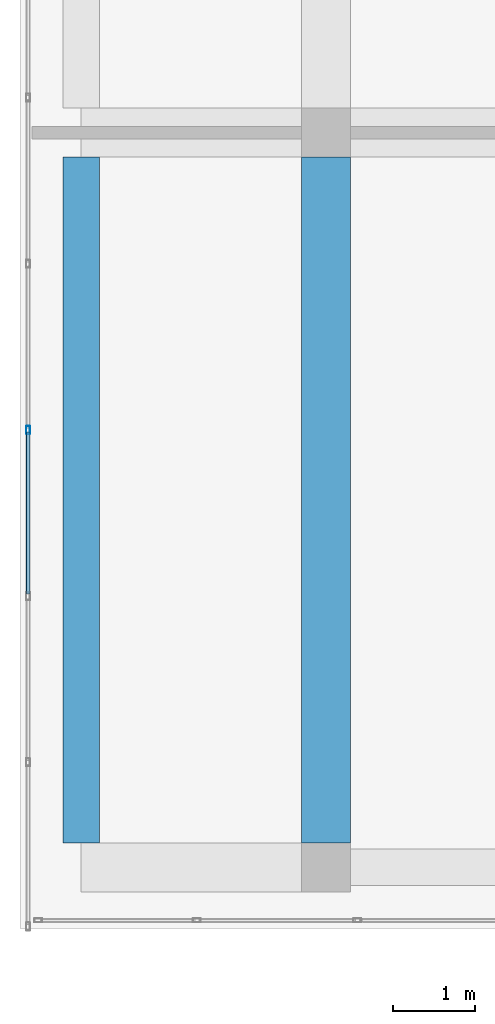
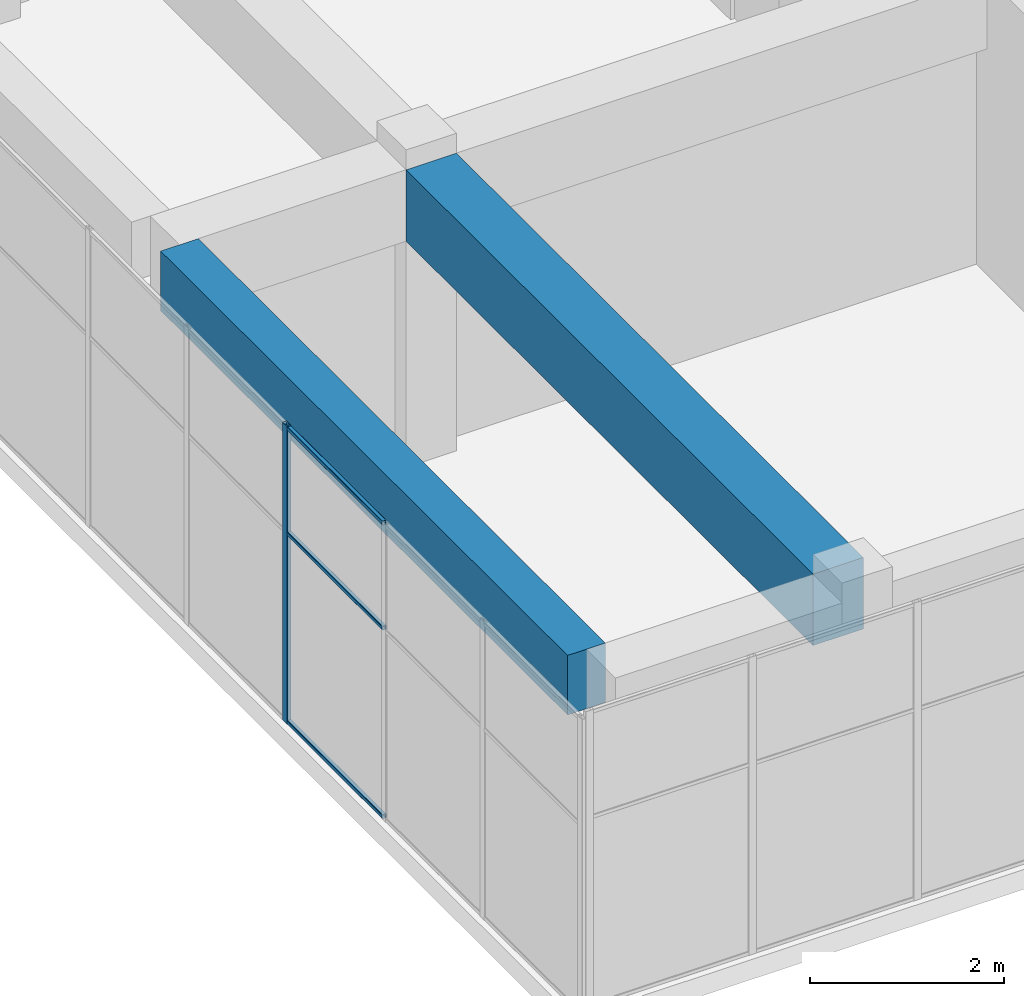
# One storey, part 4 of 35: 4 members, 2 beams, 1 element without a shape of its own.
"""IFC4 building model written with IfcOpenShell, lengths in metres."""

from ifc_helpers import new_model, si_unit, direction, frame, origin, origin_2d, place, context, subcontext, project, spatial, rectangle, hollow_rectangle, extrude, material, layer, layer_set, material_profile, profile_set, type_object, element, aggregate, save


model = new_model("IFC4")

# Units and contexts
model_context = context("Model", 3, precision=1e-05, world=origin(), true_north=direction((0.0, 1.0)))
body_context = subcontext(model_context, "Body", "Model", "MODEL_VIEW")
ifc_project = project(units=[si_unit("LENGTHUNIT", "METRE"), si_unit("AREAUNIT", "SQUARE_METRE"), si_unit("VOLUMEUNIT", "CUBIC_METRE"), si_unit("PLANEANGLEUNIT", "RADIAN"), si_unit("MASSUNIT", "GRAM", prefix="KILO")], contexts=[model_context])

# Site, building, storey
site_placement = place(None, origin())
site = spatial("IfcSite", under=ifc_project, at=site_placement, CompositionType="ELEMENT")
building_placement = place(site_placement, origin())
building = spatial("IfcBuilding", under=site, at=building_placement, Name="Tuart Plaza Theatre", CompositionType="ELEMENT")
storey_placement = place(building_placement, frame((0.0, 0.0, 45.5)))
storey = spatial("IfcBuildingStorey", under=building, at=storey_placement, Name="L11", CompositionType="ELEMENT", Elevation=45.5)

# Beams
ifc_material_1 = material(Name="Concrete N40 (40 MPa)", Category="concrete")
ifc_material_profile_1 = material_profile(ifc_material_1, rectangle(XDim=0.449951171875, YDim=0.75, at=origin_2d()), Name="BEAM 450x750 Concrete N40 (40 MPa)")
ifc_profile_set_1 = profile_set([ifc_material_profile_1], Name="Concrete N40 (40 MPa)")
beam_type_1 = type_object("IfcBeamType", Name="BEAM 450x750 Concrete N40 (40 MPa)", PredefinedType="BEAM", material=ifc_profile_set_1)
beam_1_placement = place(storey_placement, frame((111.0, 65.300048828125, 3.375), z_axis=(0.0, 1.0, 0.0), x_axis=(-1.0, 0.0, 0.0)))
element("IfcBeam", 1, at=beam_1_placement, inside=storey, type_object=beam_type_1, Name="RB282", PredefinedType="BEAM", context=body_context, shape_type="SweptSolid", body=[
    extrude(rectangle(XDim=0.449951171875, YDim=0.75, at=origin_2d()), origin(), (0.0, 0.0, 1.0), 8.39990234375),
])
ifc_material_2 = material(Name="Concrete N40 (40 MPa)", Category="concrete")
ifc_material_profile_2 = material_profile(ifc_material_2, rectangle(XDim=0.60009765625, YDim=0.89990234375, at=origin_2d()), Name="BEAM 600x900 Concrete N40 (40 MPa)")
ifc_profile_set_2 = profile_set([ifc_material_profile_2], Name="Concrete N40 (40 MPa)")
beam_type_2 = type_object("IfcBeamType", Name="BEAM 600x900 Concrete N40 (40 MPa)", PredefinedType="BEAM", material=ifc_profile_set_2)
beam_2_placement = place(storey_placement, frame((114.0, 65.300048828125, 3.300048828125), z_axis=(0.0, 1.0, 0.0), x_axis=(-1.0, 0.0, 0.0)))
element("IfcBeam", 2, at=beam_2_placement, inside=storey, type_object=beam_type_2, Name="RB289", PredefinedType="BEAM", context=body_context, shape_type="SweptSolid", body=[
    extrude(rectangle(XDim=0.60009765625, YDim=0.89990234375, at=origin_2d()), origin(), (0.0, 0.0, 1.0), 8.39990234375),
])

# Curtain wall, members
ifc_material_3 = material(Name="Aluminium and glass", Category="aluminium")
ifc_layer = layer(ifc_material_3, 0.10009765625)
ifc_layer_set = layer_set([ifc_layer], Name="CURTAIN WALL 2000 module")
curtain_wall_type = type_object("IfcCurtainWallType", Name="CURTAIN WALL 2000 module", PredefinedType="NOTDEFINED", material=ifc_layer_set)
curtain_wall_placement = place(storey_placement, origin())
curtain_wall = element("IfcCurtainWall", 3, at=curtain_wall_placement, inside=storey, type_object=curtain_wall_type, Name="CW106", PredefinedType="NOTDEFINED")
ifc_material_4 = material(Name="Aluminium 6063-T5", Category="aluminium")
ifc_material_profile_3 = material_profile(ifc_material_4, hollow_rectangle(XDim=0.050048828125, YDim=0.10009765625, WallThickness=0.00390625, InnerFilletRadius=0.00390625, OuterFilletRadius=0.008056640625, at=origin_2d()), Name="RHS 100x50x4")
ifc_profile_set_3 = profile_set([ifc_material_profile_3], Name="Aluminium 6063-T5")
member_type_1 = type_object("IfcMemberType", Name="MULLION RHS 100x50x4", PredefinedType="MULLION", material=ifc_profile_set_3)
member_1_placement = place(storey_placement, frame((110.35009765625, 70.357177734375, 0.0), z_axis=(0.0, 0.0, 1.0), x_axis=(1.0, 0.0, 0.0)))
member_1 = element("IfcMember", 4, at=member_1_placement, type_object=member_type_1, Name="CW106 mullion 12", PredefinedType="MULLION", context=body_context, shape_type="SweptSolid", body=[
    extrude(hollow_rectangle(XDim=0.050048828125, YDim=0.10009765625, WallThickness=0.00390625, InnerFilletRadius=0.00390625, OuterFilletRadius=0.008056640625, at=origin_2d()), origin(), (0.0, 0.0, 1.0), 3.75),
])
ifc_material_5 = material(Name="Aluminium 6063-T5", Category="aluminium")
ifc_material_profile_4 = material_profile(ifc_material_5, hollow_rectangle(XDim=0.050048828125, YDim=0.050048828125, WallThickness=0.00390625, InnerFilletRadius=0.00390625, OuterFilletRadius=0.008056640625, at=origin_2d()), Name="RHS 50x50x4")
ifc_profile_set_4 = profile_set([ifc_material_profile_4], Name="Aluminium 6063-T5")
member_type_2 = type_object("IfcMemberType", Name="TRANSOM RHS 50x50x4", PredefinedType="USERDEFINED", material=ifc_profile_set_4)
member_2_placement = place(storey_placement, frame((110.35009765625, 70.33203125, 0.02490234375), z_axis=(0.0, -1.0, 0.0), x_axis=(1.0, 0.0, 0.0)))
member_2 = element("IfcMember", 5, at=member_2_placement, type_object=member_type_2, Name="CW106 transom 12.1", ObjectType="TRANSOM", PredefinedType="USERDEFINED", context=body_context, shape_type="SweptSolid", body=[
    extrude(hollow_rectangle(XDim=0.050048828125, YDim=0.050048828125, WallThickness=0.00390625, InnerFilletRadius=0.00390625, OuterFilletRadius=0.008056640625, at=origin_2d()), origin(), (0.0, 0.0, 1.0), 1.985595703125),
])
member_3_placement = place(storey_placement, frame((110.35009765625, 70.33203125, 2.39990234375), z_axis=(0.0, -1.0, 0.0), x_axis=(1.0, 0.0, 0.0)))
member_3 = element("IfcMember", 6, at=member_3_placement, type_object=member_type_2, Name="CW106 transom 12.2", ObjectType="TRANSOM", PredefinedType="USERDEFINED", context=body_context, shape_type="SweptSolid", body=[
    extrude(hollow_rectangle(XDim=0.050048828125, YDim=0.050048828125, WallThickness=0.00390625, InnerFilletRadius=0.00390625, OuterFilletRadius=0.008056640625, at=origin_2d()), origin(), (0.0, 0.0, 1.0), 1.985595703125),
])
member_4_placement = place(storey_placement, frame((110.35009765625, 70.33203125, 3.72509765625), z_axis=(0.0, -1.0, 0.0), x_axis=(1.0, 0.0, 0.0)))
member_4 = element("IfcMember", 7, at=member_4_placement, type_object=member_type_2, Name="CW106 transom 12.3", ObjectType="TRANSOM", PredefinedType="USERDEFINED", context=body_context, shape_type="SweptSolid", body=[
    extrude(hollow_rectangle(XDim=0.050048828125, YDim=0.050048828125, WallThickness=0.00390625, InnerFilletRadius=0.00390625, OuterFilletRadius=0.008056640625, at=origin_2d()), origin(), (0.0, 0.0, 1.0), 1.985595703125),
])
aggregate(curtain_wall, [member_1, member_2, member_3, member_4])

save(model, "model.ifc")
